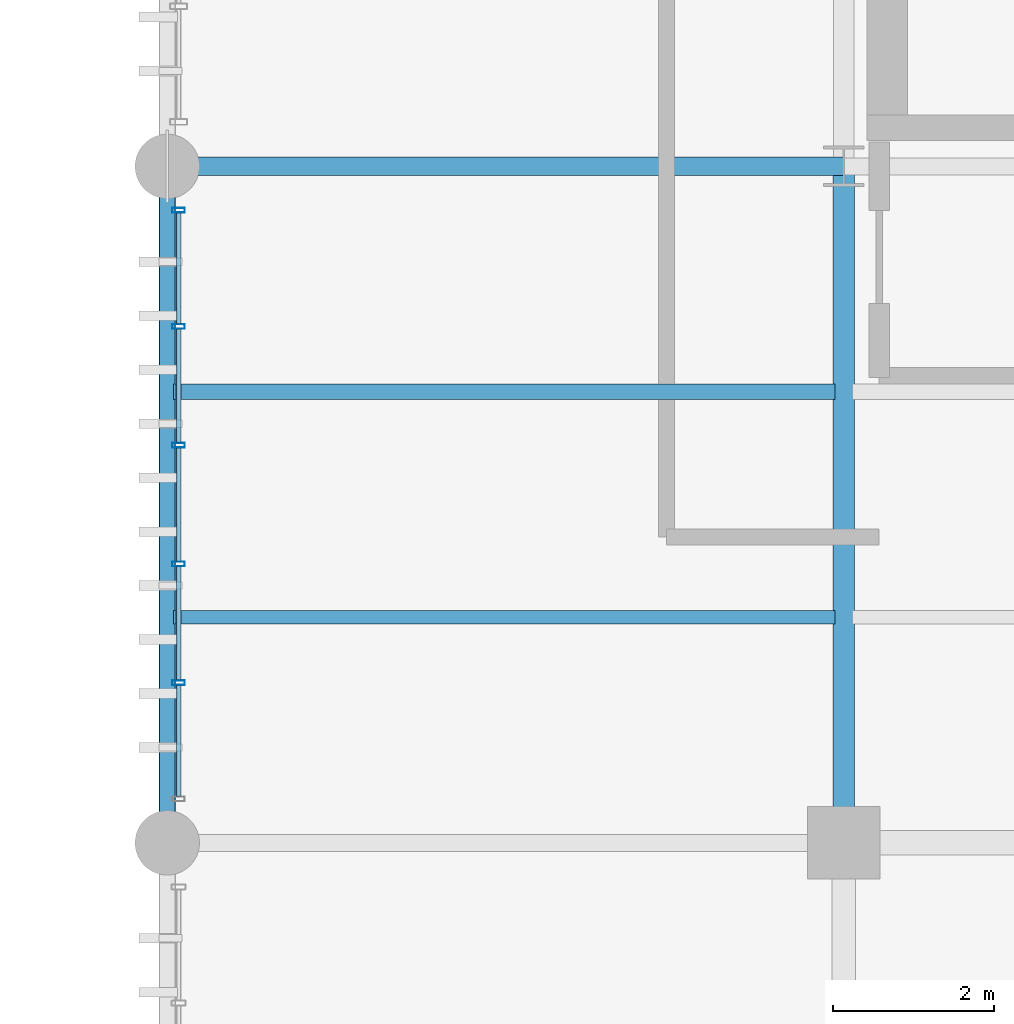
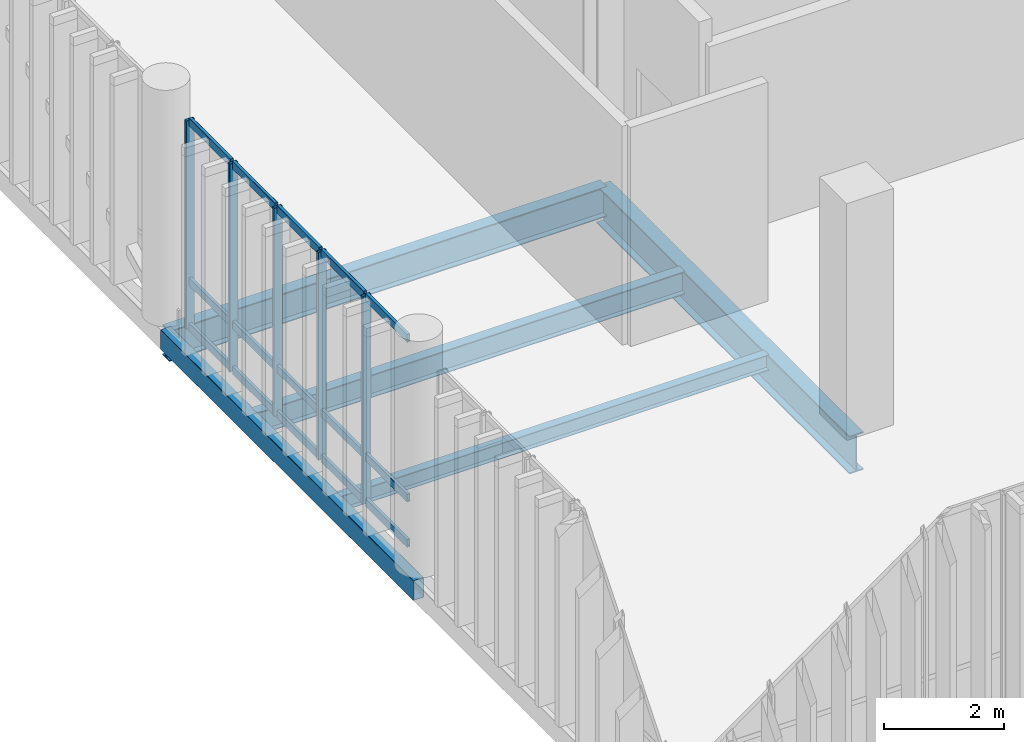
# One storey, part 70 of 109: 20 members, 5 beams, 1 element without a shape of its own.
"""IFC4 building model written with IfcOpenShell, lengths in metres."""

from ifc_helpers import new_model, si_unit, direction, frame, origin_with_axes, origin_2d_with_axis, place, context, subcontext, project, spatial, hollow_rectangle, i_section, extrude, material, material_profile, profile_set, type_object, element, aggregate, save


model = new_model("IFC4")

# Units and contexts
model_context = context("Model", 3, precision=1e-05, world=origin_with_axes(), true_north=direction((0.0, 1.0)))
body_context = subcontext(model_context, "Body", "Model", "MODEL_VIEW")
ifc_project = project(units=[si_unit("LENGTHUNIT", "METRE"), si_unit("AREAUNIT", "SQUARE_METRE"), si_unit("VOLUMEUNIT", "CUBIC_METRE"), si_unit("PLANEANGLEUNIT", "RADIAN"), si_unit("MASSUNIT", "GRAM", prefix="KILO"), si_unit("THERMODYNAMICTEMPERATUREUNIT", "KELVIN")], contexts=[model_context])

# Site, building, storey
site_placement = place(None, origin_with_axes())
site = spatial("IfcSite", under=ifc_project, at=site_placement, CompositionType="ELEMENT")
building_placement = place(site_placement, origin_with_axes())
building = spatial("IfcBuilding", under=site, at=building_placement, Name="Montbau Bow Law Courts", CompositionType="ELEMENT")
storey_placement = place(building_placement, frame((0.0, 0.0, 10.8), z_axis=(0.0, 0.0, 1.0), x_axis=(1.0, 0.0, 0.0)))
storey = spatial("IfcBuildingStorey", under=building, at=storey_placement, Name="L02", CompositionType="ELEMENT", Elevation=10.8)

# Beams
ifc_material_1 = material(Name="Steel CSA G40.21 Grade 350W (350 MPa)", Category="steel")
ifc_material_profile_1 = material_profile(ifc_material_1, i_section(OverallWidth=0.267, OverallDepth=0.766, WebThickness=0.0149, FlangeThickness=0.0236, at=origin_2d_with_axis()), Name="W760X185", Category="Main", Priority=0)
ifc_profile_set_1 = profile_set([ifc_material_profile_1], Name="Steel CSA G40.21 Grade 350W (350 MPa)")
beam_type_1 = type_object("IfcBeamType", Name="B-FLR-03", PredefinedType="BEAM", material=ifc_profile_set_1)
beam_1_placement = place(None, frame((147.0, 78.0, 10.117), z_axis=(0.0, 1.0, 0.0), x_axis=(-1.0, 0.0, 0.0)))
element("IfcBeam", 1, at=beam_1_placement, inside=storey, type_object=beam_type_1, Name="BM-L02-S1190:bm2_1193", PredefinedType="BEAM", context=body_context, shape_type="SweptSolid", body=[
    extrude(i_section(OverallWidth=0.267, OverallDepth=0.766, WebThickness=0.0149, FlangeThickness=0.0236, at=origin_2d_with_axis()), origin_with_axes(), (0.0, 0.0, 1.0), 8.4),
])
ifc_material_profile_2 = material_profile(ifc_material_1, i_section(OverallWidth=0.229, OverallDepth=0.612, WebThickness=0.0119, FlangeThickness=0.0196, at=origin_2d_with_axis()), Name="W610X125", Category="Main", Priority=0)
ifc_profile_set_2 = profile_set([ifc_material_profile_2], Name="Steel CSA G40.21 Grade 350W (350 MPa)")
beam_type_2 = type_object("IfcBeamType", Name="B-FLR-05", PredefinedType="BEAM", material=ifc_profile_set_2)
beam_2_placement = place(None, frame((138.6, 86.4, 10.194), z_axis=(1.0, 0.0, 0.0), x_axis=(0.0, 1.0, 0.0)))
element("IfcBeam", 2, at=beam_2_placement, inside=storey, type_object=beam_type_2, Name="BM-L02-S1173:bm2_1176", PredefinedType="BEAM", context=body_context, shape_type="SweptSolid", body=[
    extrude(i_section(OverallWidth=0.229, OverallDepth=0.612, WebThickness=0.0119, FlangeThickness=0.0196, at=origin_2d_with_axis()), origin_with_axes(), (0.0, 0.0, 1.0), 8.4),
])
ifc_material_profile_3 = material_profile(ifc_material_1, i_section(OverallWidth=0.191, OverallDepth=0.46, WebThickness=0.0099, FlangeThickness=0.016, at=origin_2d_with_axis()), Name="W460X82", Category="Main", Priority=0)
ifc_profile_set_3 = profile_set([ifc_material_profile_3], Name="Steel CSA G40.21 Grade 350W (350 MPa)")
beam_type_3 = type_object("IfcBeamType", Name="B-JST-01", PredefinedType="JOIST", material=ifc_profile_set_3)
beam_3_placement = place(None, frame((138.68, 83.6, 10.27), z_axis=(1.0, 0.0, 0.0), x_axis=(0.0, 1.0, 0.0)))
element("IfcBeam", 3, at=beam_3_placement, inside=storey, type_object=beam_type_3, Name="JST-L02-S0612:jst2_0612", PredefinedType="JOIST", context=body_context, shape_type="SweptSolid", body=[
    extrude(i_section(OverallWidth=0.191, OverallDepth=0.46, WebThickness=0.0099, FlangeThickness=0.016, at=origin_2d_with_axis()), origin_with_axes(), (0.0, 0.0, 1.0), 8.211),
])
ifc_material_profile_4 = material_profile(ifc_material_1, i_section(OverallWidth=0.166, OverallDepth=0.313, WebThickness=0.0066, FlangeThickness=0.0112, at=origin_2d_with_axis()), Name="W310X45", Category="Main", Priority=0)
ifc_profile_set_4 = profile_set([ifc_material_profile_4], Name="Steel CSA G40.21 Grade 350W (350 MPa)")
beam_type_4 = type_object("IfcBeamType", Name="B-JST-04", PredefinedType="JOIST", material=ifc_profile_set_4)
beam_4_placement = place(None, frame((138.68, 80.8, 10.344), z_axis=(1.0, 0.0, 0.0), x_axis=(0.0, 1.0, 0.0)))
element("IfcBeam", 4, at=beam_4_placement, inside=storey, type_object=beam_type_4, Name="JST-L02-S0611:jst2_0611", PredefinedType="JOIST", context=body_context, shape_type="SweptSolid", body=[
    extrude(i_section(OverallWidth=0.166, OverallDepth=0.313, WebThickness=0.0066, FlangeThickness=0.0112, at=origin_2d_with_axis()), origin_with_axes(), (0.0, 0.0, 1.0), 8.211),
])
ifc_material_2 = material(Name="Steel CSA G40.21 Grade 350WT (350 MPa)", Category="steel")
ifc_material_profile_5 = material_profile(ifc_material_2, hollow_rectangle(XDim=0.203, YDim=0.406, WallThickness=0.0127, InnerFilletRadius=0.0254, OuterFilletRadius=0.0127, at=origin_2d_with_axis()), Name="HSS406X203X13", Category="Main", Priority=0)
ifc_profile_set_5 = profile_set([ifc_material_profile_5], Name="Steel CSA G40.21 Grade 350WT (350 MPa)")
beam_type_5 = type_object("IfcBeamType", Name="B-SPN-01", PredefinedType="SPANDREL", material=ifc_profile_set_5)
beam_5_placement = place(None, frame((138.6, 78.0, 10.297), z_axis=(0.0, 1.0, 0.0), x_axis=(-1.0, 0.0, 0.0)))
element("IfcBeam", 5, at=beam_5_placement, inside=storey, type_object=beam_type_5, Name="SPN-L02-S1186:bm2_1189", PredefinedType="SPANDREL", context=body_context, shape_type="SweptSolid", body=[
    extrude(hollow_rectangle(XDim=0.203, YDim=0.406, WallThickness=0.0127, InnerFilletRadius=0.0254, OuterFilletRadius=0.0127, at=origin_2d_with_axis()), origin_with_axes(), (0.0, 0.0, 1.0), 8.4),
])

# Curtain wall, members
ifc_material_3 = material(Name="Thermally Broken Extruded Aluminium AA 6063-T6", Category="aluminium")
curtain_wall_type = type_object("IfcCurtainWallType", Name="CW-SLT-01", PredefinedType="NOTDEFINED", material=ifc_material_3)
curtain_wall_placement = place(None, frame((138.74, 78.515, 10.8), z_axis=(0.0, 0.0, 1.0), x_axis=(1.0, 0.0, 0.0)))
curtain_wall = element("IfcCurtainWall", 6, at=curtain_wall_placement, inside=storey, type_object=curtain_wall_type, Name="CW-L02-302:cw_0302", PredefinedType="NOTDEFINED")
ifc_material_profile_6 = material_profile(ifc_material_3, hollow_rectangle(XDim=0.06, YDim=0.16, WallThickness=0.004, InnerFilletRadius=0.008, OuterFilletRadius=0.004, at=origin_2d_with_axis()), Name="CWM-160X60", Category="Main", Priority=0)
ifc_profile_set_6 = profile_set([ifc_material_profile_6], Name="Thermally Broken Extruded Aluminium AA 6063-T6")
member_type_1 = type_object("IfcMemberType", Name="M-MUL-03", PredefinedType="MULLION", material=ifc_profile_set_6)
member_1_placement = place(None, frame((138.74, 79.989, 10.8), z_axis=(0.0, 0.0, 1.0), x_axis=(0.0, 1.0, 0.0)))
member_1 = element("IfcMember", 7, at=member_1_placement, type_object=member_type_1, Name="CW-L02-302-M02:cw_0302_M02", PredefinedType="MULLION", context=body_context, shape_type="SweptSolid", body=[
    extrude(hollow_rectangle(XDim=0.06, YDim=0.16, WallThickness=0.004, InnerFilletRadius=0.008, OuterFilletRadius=0.004, at=origin_2d_with_axis()), origin_with_axes(), (0.0, 0.0, 1.0), 4.22),
])
member_2_placement = place(None, frame((138.74, 81.463, 10.8), z_axis=(0.0, 0.0, 1.0), x_axis=(0.0, 1.0, 0.0)))
member_2 = element("IfcMember", 8, at=member_2_placement, type_object=member_type_1, Name="CW-L02-302-M03:cw_0302_M03", PredefinedType="MULLION", context=body_context, shape_type="SweptSolid", body=[
    extrude(hollow_rectangle(XDim=0.06, YDim=0.16, WallThickness=0.004, InnerFilletRadius=0.008, OuterFilletRadius=0.004, at=origin_2d_with_axis()), origin_with_axes(), (0.0, 0.0, 1.0), 4.22),
])
member_3_placement = place(None, frame((138.74, 82.937, 10.8), z_axis=(0.0, 0.0, 1.0), x_axis=(0.0, 1.0, 0.0)))
member_3 = element("IfcMember", 9, at=member_3_placement, type_object=member_type_1, Name="CW-L02-302-M04:cw_0302_M04", PredefinedType="MULLION", context=body_context, shape_type="SweptSolid", body=[
    extrude(hollow_rectangle(XDim=0.06, YDim=0.16, WallThickness=0.004, InnerFilletRadius=0.008, OuterFilletRadius=0.004, at=origin_2d_with_axis()), origin_with_axes(), (0.0, 0.0, 1.0), 4.22),
])
member_4_placement = place(None, frame((138.74, 84.411, 10.8), z_axis=(0.0, 0.0, 1.0), x_axis=(0.0, 1.0, 0.0)))
member_4 = element("IfcMember", 10, at=member_4_placement, type_object=member_type_1, Name="CW-L02-302-M05:cw_0302_M05", PredefinedType="MULLION", context=body_context, shape_type="SweptSolid", body=[
    extrude(hollow_rectangle(XDim=0.06, YDim=0.16, WallThickness=0.004, InnerFilletRadius=0.008, OuterFilletRadius=0.004, at=origin_2d_with_axis()), origin_with_axes(), (0.0, 0.0, 1.0), 4.22),
])
member_5_placement = place(None, frame((138.74, 85.855, 10.8), z_axis=(0.0, 0.0, 1.0), x_axis=(0.0, 1.0, 0.0)))
member_5 = element("IfcMember", 11, at=member_5_placement, type_object=member_type_1, Name="CW-L02-302-M06:cw_0302_M06", PredefinedType="MULLION", context=body_context, shape_type="SweptSolid", body=[
    extrude(hollow_rectangle(XDim=0.06, YDim=0.16, WallThickness=0.004, InnerFilletRadius=0.008, OuterFilletRadius=0.004, at=origin_2d_with_axis()), origin_with_axes(), (0.0, 0.0, 1.0), 4.22),
])
ifc_material_profile_7 = material_profile(ifc_material_3, hollow_rectangle(XDim=0.06, YDim=0.16, WallThickness=0.004, InnerFilletRadius=0.008, OuterFilletRadius=0.004, at=origin_2d_with_axis()), Name="CWT-160X60", Category="Main", Priority=0)
ifc_profile_set_7 = profile_set([ifc_material_profile_7], Name="Thermally Broken Extruded Aluminium AA 6063-T6")
member_type_2 = type_object("IfcMemberType", Name="M-TRN-01", PredefinedType="USERDEFINED", material=ifc_profile_set_7)
member_6_placement = place(None, frame((138.74, 78.577, 10.83), z_axis=(0.0, 1.0, 0.0), x_axis=(-1.0, 0.0, 0.0)))
member_6 = element("IfcMember", 12, at=member_6_placement, type_object=member_type_2, Name="CW-L02-302-T01-1:cw_0302_T01_1", ObjectType="TRANSOM", PredefinedType="USERDEFINED", context=body_context, shape_type="SweptSolid", body=[
    extrude(hollow_rectangle(XDim=0.06, YDim=0.16, WallThickness=0.004, InnerFilletRadius=0.008, OuterFilletRadius=0.004, at=origin_2d_with_axis()), origin_with_axes(), (0.0, 0.0, 1.0), 1.38),
])
member_7_placement = place(None, frame((138.74, 78.577, 11.75), z_axis=(0.0, 1.0, 0.0), x_axis=(-1.0, 0.0, 0.0)))
member_7 = element("IfcMember", 13, at=member_7_placement, type_object=member_type_2, Name="CW-L02-302-T01-2:cw_0302_T01_2", ObjectType="TRANSOM", PredefinedType="USERDEFINED", context=body_context, shape_type="SweptSolid", body=[
    extrude(hollow_rectangle(XDim=0.06, YDim=0.16, WallThickness=0.004, InnerFilletRadius=0.008, OuterFilletRadius=0.004, at=origin_2d_with_axis()), origin_with_axes(), (0.0, 0.0, 1.0), 1.38),
])
member_8_placement = place(None, frame((138.74, 78.577, 14.99), z_axis=(0.0, 1.0, 0.0), x_axis=(-1.0, 0.0, 0.0)))
member_8 = element("IfcMember", 14, at=member_8_placement, type_object=member_type_2, Name="CW-L02-302-T01-3:cw_0302_T01_3", ObjectType="TRANSOM", PredefinedType="USERDEFINED", context=body_context, shape_type="SweptSolid", body=[
    extrude(hollow_rectangle(XDim=0.06, YDim=0.16, WallThickness=0.004, InnerFilletRadius=0.008, OuterFilletRadius=0.004, at=origin_2d_with_axis()), origin_with_axes(), (0.0, 0.0, 1.0), 1.38),
])
member_9_placement = place(None, frame((138.74, 80.021, 10.83), z_axis=(0.0, 1.0, 0.0), x_axis=(-1.0, 0.0, 0.0)))
member_9 = element("IfcMember", 15, at=member_9_placement, type_object=member_type_2, Name="CW-L02-302-T02-1:cw_0302_T02_1", ObjectType="TRANSOM", PredefinedType="USERDEFINED", context=body_context, shape_type="SweptSolid", body=[
    extrude(hollow_rectangle(XDim=0.06, YDim=0.16, WallThickness=0.004, InnerFilletRadius=0.008, OuterFilletRadius=0.004, at=origin_2d_with_axis()), origin_with_axes(), (0.0, 0.0, 1.0), 1.41),
])
member_10_placement = place(None, frame((138.74, 80.021, 11.75), z_axis=(0.0, 1.0, 0.0), x_axis=(-1.0, 0.0, 0.0)))
member_10 = element("IfcMember", 16, at=member_10_placement, type_object=member_type_2, Name="CW-L02-302-T02-2:cw_0302_T02_2", ObjectType="TRANSOM", PredefinedType="USERDEFINED", context=body_context, shape_type="SweptSolid", body=[
    extrude(hollow_rectangle(XDim=0.06, YDim=0.16, WallThickness=0.004, InnerFilletRadius=0.008, OuterFilletRadius=0.004, at=origin_2d_with_axis()), origin_with_axes(), (0.0, 0.0, 1.0), 1.41),
])
member_11_placement = place(None, frame((138.74, 80.021, 14.99), z_axis=(0.0, 1.0, 0.0), x_axis=(-1.0, 0.0, 0.0)))
member_11 = element("IfcMember", 17, at=member_11_placement, type_object=member_type_2, Name="CW-L02-302-T02-3:cw_0302_T02_3", ObjectType="TRANSOM", PredefinedType="USERDEFINED", context=body_context, shape_type="SweptSolid", body=[
    extrude(hollow_rectangle(XDim=0.06, YDim=0.16, WallThickness=0.004, InnerFilletRadius=0.008, OuterFilletRadius=0.004, at=origin_2d_with_axis()), origin_with_axes(), (0.0, 0.0, 1.0), 1.41),
])
member_12_placement = place(None, frame((138.74, 81.495, 10.83), z_axis=(0.0, 1.0, 0.0), x_axis=(-1.0, 0.0, 0.0)))
member_12 = element("IfcMember", 18, at=member_12_placement, type_object=member_type_2, Name="CW-L02-302-T03-1:cw_0302_T03_1", ObjectType="TRANSOM", PredefinedType="USERDEFINED", context=body_context, shape_type="SweptSolid", body=[
    extrude(hollow_rectangle(XDim=0.06, YDim=0.16, WallThickness=0.004, InnerFilletRadius=0.008, OuterFilletRadius=0.004, at=origin_2d_with_axis()), origin_with_axes(), (0.0, 0.0, 1.0), 1.41),
])
member_13_placement = place(None, frame((138.74, 81.495, 11.75), z_axis=(0.0, 1.0, 0.0), x_axis=(-1.0, 0.0, 0.0)))
member_13 = element("IfcMember", 19, at=member_13_placement, type_object=member_type_2, Name="CW-L02-302-T03-2:cw_0302_T03_2", ObjectType="TRANSOM", PredefinedType="USERDEFINED", context=body_context, shape_type="SweptSolid", body=[
    extrude(hollow_rectangle(XDim=0.06, YDim=0.16, WallThickness=0.004, InnerFilletRadius=0.008, OuterFilletRadius=0.004, at=origin_2d_with_axis()), origin_with_axes(), (0.0, 0.0, 1.0), 1.41),
])
member_14_placement = place(None, frame((138.74, 81.495, 14.99), z_axis=(0.0, 1.0, 0.0), x_axis=(-1.0, 0.0, 0.0)))
member_14 = element("IfcMember", 20, at=member_14_placement, type_object=member_type_2, Name="CW-L02-302-T03-3:cw_0302_T03_3", ObjectType="TRANSOM", PredefinedType="USERDEFINED", context=body_context, shape_type="SweptSolid", body=[
    extrude(hollow_rectangle(XDim=0.06, YDim=0.16, WallThickness=0.004, InnerFilletRadius=0.008, OuterFilletRadius=0.004, at=origin_2d_with_axis()), origin_with_axes(), (0.0, 0.0, 1.0), 1.41),
])
member_15_placement = place(None, frame((138.74, 82.969, 10.83), z_axis=(0.0, 1.0, 0.0), x_axis=(-1.0, 0.0, 0.0)))
member_15 = element("IfcMember", 21, at=member_15_placement, type_object=member_type_2, Name="CW-L02-302-T04-1:cw_0302_T04_1", ObjectType="TRANSOM", PredefinedType="USERDEFINED", context=body_context, shape_type="SweptSolid", body=[
    extrude(hollow_rectangle(XDim=0.06, YDim=0.16, WallThickness=0.004, InnerFilletRadius=0.008, OuterFilletRadius=0.004, at=origin_2d_with_axis()), origin_with_axes(), (0.0, 0.0, 1.0), 1.41),
])
member_16_placement = place(None, frame((138.74, 82.969, 11.75), z_axis=(0.0, 1.0, 0.0), x_axis=(-1.0, 0.0, 0.0)))
member_16 = element("IfcMember", 22, at=member_16_placement, type_object=member_type_2, Name="CW-L02-302-T04-2:cw_0302_T04_2", ObjectType="TRANSOM", PredefinedType="USERDEFINED", context=body_context, shape_type="SweptSolid", body=[
    extrude(hollow_rectangle(XDim=0.06, YDim=0.16, WallThickness=0.004, InnerFilletRadius=0.008, OuterFilletRadius=0.004, at=origin_2d_with_axis()), origin_with_axes(), (0.0, 0.0, 1.0), 1.41),
])
member_17_placement = place(None, frame((138.74, 82.969, 14.99), z_axis=(0.0, 1.0, 0.0), x_axis=(-1.0, 0.0, 0.0)))
member_17 = element("IfcMember", 23, at=member_17_placement, type_object=member_type_2, Name="CW-L02-302-T04-3:cw_0302_T04_3", ObjectType="TRANSOM", PredefinedType="USERDEFINED", context=body_context, shape_type="SweptSolid", body=[
    extrude(hollow_rectangle(XDim=0.06, YDim=0.16, WallThickness=0.004, InnerFilletRadius=0.008, OuterFilletRadius=0.004, at=origin_2d_with_axis()), origin_with_axes(), (0.0, 0.0, 1.0), 1.41),
])
member_18_placement = place(None, frame((138.74, 84.443, 10.83), z_axis=(0.0, 1.0, 0.0), x_axis=(-1.0, 0.0, 0.0)))
member_18 = element("IfcMember", 24, at=member_18_placement, type_object=member_type_2, Name="CW-L02-302-T05-1:cw_0302_T05_1", ObjectType="TRANSOM", PredefinedType="USERDEFINED", context=body_context, shape_type="SweptSolid", body=[
    extrude(hollow_rectangle(XDim=0.06, YDim=0.16, WallThickness=0.004, InnerFilletRadius=0.008, OuterFilletRadius=0.004, at=origin_2d_with_axis()), origin_with_axes(), (0.0, 0.0, 1.0), 1.38),
])
member_19_placement = place(None, frame((138.74, 84.443, 11.75), z_axis=(0.0, 1.0, 0.0), x_axis=(-1.0, 0.0, 0.0)))
member_19 = element("IfcMember", 25, at=member_19_placement, type_object=member_type_2, Name="CW-L02-302-T05-2:cw_0302_T05_2", ObjectType="TRANSOM", PredefinedType="USERDEFINED", context=body_context, shape_type="SweptSolid", body=[
    extrude(hollow_rectangle(XDim=0.06, YDim=0.16, WallThickness=0.004, InnerFilletRadius=0.008, OuterFilletRadius=0.004, at=origin_2d_with_axis()), origin_with_axes(), (0.0, 0.0, 1.0), 1.38),
])
member_20_placement = place(None, frame((138.74, 84.443, 14.99), z_axis=(0.0, 1.0, 0.0), x_axis=(-1.0, 0.0, 0.0)))
member_20 = element("IfcMember", 26, at=member_20_placement, type_object=member_type_2, Name="CW-L02-302-T05-3:cw_0302_T05_3", ObjectType="TRANSOM", PredefinedType="USERDEFINED", context=body_context, shape_type="SweptSolid", body=[
    extrude(hollow_rectangle(XDim=0.06, YDim=0.16, WallThickness=0.004, InnerFilletRadius=0.008, OuterFilletRadius=0.004, at=origin_2d_with_axis()), origin_with_axes(), (0.0, 0.0, 1.0), 1.38),
])
aggregate(curtain_wall, [member_1, member_2, member_3, member_4, member_5, member_6, member_7, member_8, member_9, member_10, member_11, member_12, member_13, member_14, member_15, member_16, member_17, member_18, member_19, member_20])

save(model, "model.ifc")
